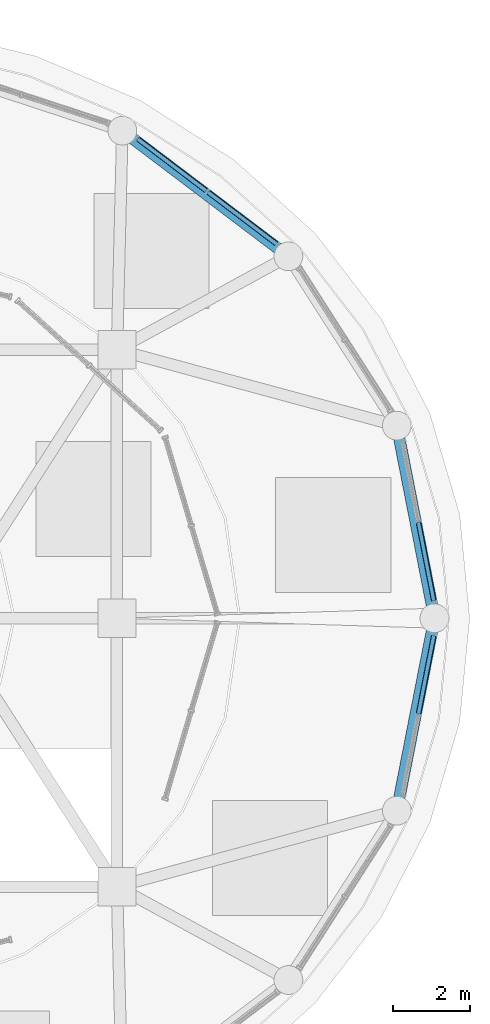
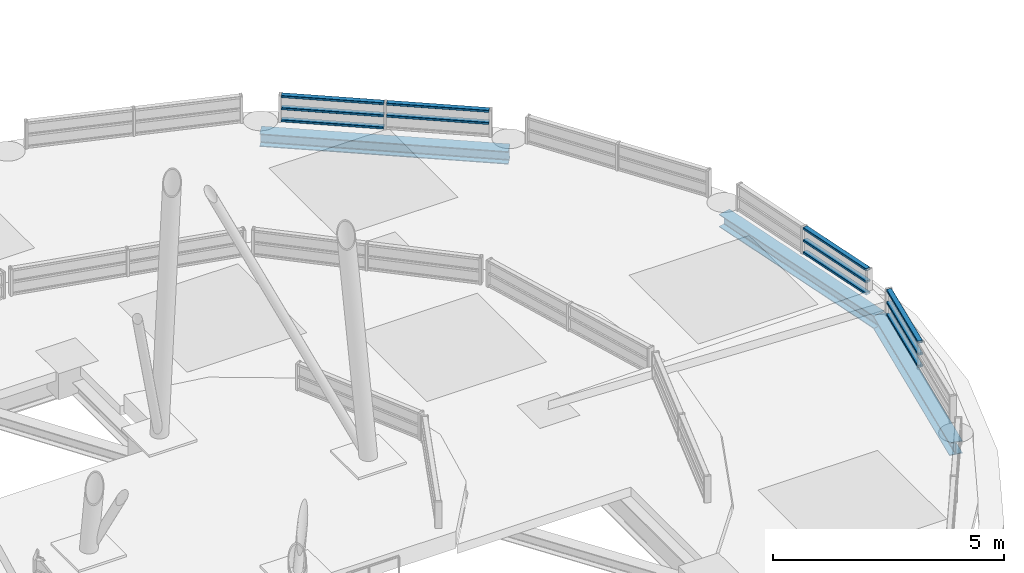
# One storey, part 7 of 21: 11 members, 3 beams, 3 elements without a shape of their own.
"""IFC4 building model written with IfcOpenShell, lengths in metres."""

from ifc_helpers import new_model, si_unit, direction, frame, origin, origin_2d, place, context, subcontext, project, spatial, hollow_rectangle, i_section, extrude, material, layer, layer_set, material_profile, profile_set, type_object, element, aggregate, save


model = new_model("IFC4")

# Units and contexts
model_context = context("Model", 3, precision=1e-05, world=origin(), true_north=direction((0.0, 1.0)))
body_context = subcontext(model_context, "Body", "Model", "MODEL_VIEW")
ifc_project = project(units=[si_unit("LENGTHUNIT", "METRE"), si_unit("AREAUNIT", "SQUARE_METRE"), si_unit("VOLUMEUNIT", "CUBIC_METRE"), si_unit("PLANEANGLEUNIT", "RADIAN"), si_unit("MASSUNIT", "GRAM", prefix="KILO")], contexts=[model_context])

# Site, building, storey
site_placement = place(None, origin())
site = spatial("IfcSite", under=ifc_project, at=site_placement, CompositionType="ELEMENT")
building_placement = place(site_placement, origin())
building = spatial("IfcBuilding", under=site, at=building_placement, Name="Kelanora Arch Commons", CompositionType="ELEMENT")
storey_placement = place(building_placement, frame((0.0, 0.0, 311.10009765625)))
storey = spatial("IfcBuildingStorey", under=building, at=storey_placement, Name="RF", CompositionType="ELEMENT", Elevation=311.10009765625)

# Beams
ifc_material_1 = material(Name="Steel S355", Category="steel")
ifc_material_profile_1 = material_profile(ifc_material_1, i_section(OverallWidth=0.300048828125, OverallDepth=0.340087890625, WebThickness=0.011962890625, FlangeThickness=0.021484375, FilletRadius=0.027099609375, at=origin_2d()), Name="HEB340")
ifc_profile_set_1 = profile_set([ifc_material_profile_1], Name="Steel S355")
beam_type = type_object("IfcBeamType", Name="BM-DRUM-RING", PredefinedType="BEAM", material=ifc_profile_set_1)
beam_1_placement = place(storey_placement, frame((90.280029296875, 58.0, 0.179931640625), z_axis=(-0.191929675955, 0.981408681176, 0.0), x_axis=(-0.981408681176, -0.191929675955, 0.0)))
element("IfcBeam", 1, at=beam_1_placement, inside=storey, type_object=beam_type, Name="Crown Outer Lantern Ring Beam 00", PredefinedType="BEAM", context=body_context, shape_type="SweptSolid", body=[
    extrude(i_section(OverallWidth=0.300048828125, OverallDepth=0.340087890625, WebThickness=0.011962890625, FlangeThickness=0.021484375, FilletRadius=0.027099609375, at=origin_2d()), origin(), (0.0, 0.0, 1.0), 5.1162109375),
])
beam_2_placement = place(storey_placement, frame((86.47119140625, 67.43603515625, 0.179931640625), z_axis=(-0.797441458309, 0.603396321309, 0.0), x_axis=(-0.603396321309, -0.797441458309, 0.0)))
element("IfcBeam", 2, at=beam_2_placement, inside=storey, type_object=beam_type, Name="Crown Outer Lantern Ring Beam 04", PredefinedType="BEAM", context=body_context, shape_type="SweptSolid", body=[
    extrude(i_section(OverallWidth=0.300048828125, OverallDepth=0.340087890625, WebThickness=0.011962890625, FlangeThickness=0.021484375, FilletRadius=0.027099609375, at=origin_2d()), origin(), (0.0, 0.0, 1.0), 5.431396484375),
])
beam_3_placement = place(storey_placement, frame((89.298095703125, 52.97900390625, 0.179931640625), z_axis=(0.191929675955, 0.981408681176, 0.0), x_axis=(-0.981408681176, 0.191929675955, 0.0)))
element("IfcBeam", 3, at=beam_3_placement, inside=storey, type_object=beam_type, Name="Crown Outer Lantern Ring Beam 34", PredefinedType="BEAM", context=body_context, shape_type="SweptSolid", body=[
    extrude(i_section(OverallWidth=0.300048828125, OverallDepth=0.340087890625, WebThickness=0.011962890625, FlangeThickness=0.021484375, FilletRadius=0.027099609375, at=origin_2d()), origin(), (0.0, 0.0, 1.0), 5.1162109375),
])

# Curtain wall, members
ifc_material_2 = material(Name="Terracotta ceramic-fritted low-E glass and aluminium", Category="masonry")
ifc_layer = layer(ifc_material_2, 0.14990234375)
ifc_layer_set = layer_set([ifc_layer], Name="Terracotta ceramic-fritted low-E glass and aluminium")
curtain_wall_type = type_object("IfcCurtainWallType", Name="CW-SYS-06", PredefinedType="NOTDEFINED", material=ifc_layer_set)
curtain_wall_1_placement = place(storey_placement, origin())
curtain_wall_1 = element("IfcCurtainWall", 4, at=curtain_wall_1_placement, inside=storey, type_object=curtain_wall_type, Name="Sloped Glass Crown Lantern T1-01", PredefinedType="NOTDEFINED")
ifc_material_3 = material(Name="Powder-coated aluminium terracotta", Category="masonry")
ifc_material_profile_2 = material_profile(ifc_material_3, hollow_rectangle(XDim=0.1201171875, YDim=0.06005859375, WallThickness=0.0048828125, InnerFilletRadius=0.0048828125, OuterFilletRadius=0.010009765625, at=origin_2d()), Name="CWT120x60")
ifc_profile_set_2 = profile_set([ifc_material_profile_2], Name="Powder-coated aluminium terracotta")
member_type = type_object("IfcMemberType", Name="CWT-STD", PredefinedType="USERDEFINED", material=ifc_profile_set_2)
member_1_placement = place(storey_placement, frame((90.26171875, 58.451416015625, 0.619873046875), z_axis=(-0.191780603047, 0.981437822939, 0.0), x_axis=(-0.981437822939, -0.191780603047, 0.0)))
member_1 = element("IfcMember", 5, at=member_1_placement, type_object=member_type, Name="CW-06 transom 1.1", ObjectType="TRANSOM", PredefinedType="USERDEFINED", context=body_context, shape_type="SweptSolid", body=[
    extrude(hollow_rectangle(XDim=0.1201171875, YDim=0.06005859375, WallThickness=0.0048828125, InnerFilletRadius=0.0048828125, OuterFilletRadius=0.010009765625, at=origin_2d()), origin(), (0.0, 0.0, 1.0), 2.080078125),
])
member_2_placement = place(storey_placement, frame((90.26171875, 58.451416015625, 0.93994140625), z_axis=(-0.191780603047, 0.981437822939, 0.0), x_axis=(-0.981437822939, -0.191780603047, 0.0)))
member_2 = element("IfcMember", 6, at=member_2_placement, type_object=member_type, Name="CW-06 transom 1.2", ObjectType="TRANSOM", PredefinedType="USERDEFINED", context=body_context, shape_type="SweptSolid", body=[
    extrude(hollow_rectangle(XDim=0.1201171875, YDim=0.06005859375, WallThickness=0.0048828125, InnerFilletRadius=0.0048828125, OuterFilletRadius=0.010009765625, at=origin_2d()), origin(), (0.0, 0.0, 1.0), 2.080078125),
])
member_3_placement = place(storey_placement, frame((90.26171875, 58.451416015625, 1.260009765625), z_axis=(-0.191780603047, 0.981437822939, 0.0), x_axis=(-0.981437822939, -0.191780603047, 0.0)))
member_3 = element("IfcMember", 7, at=member_3_placement, type_object=member_type, Name="CW-06 transom 1.3", ObjectType="TRANSOM", PredefinedType="USERDEFINED", context=body_context, shape_type="SweptSolid", body=[
    extrude(hollow_rectangle(XDim=0.1201171875, YDim=0.06005859375, WallThickness=0.0048828125, InnerFilletRadius=0.0048828125, OuterFilletRadius=0.010009765625, at=origin_2d()), origin(), (0.0, 0.0, 1.0), 2.080078125),
])
aggregate(curtain_wall_1, [member_1, member_2, member_3])

curtain_wall_2_placement = place(storey_placement, origin())
curtain_wall_2 = element("IfcCurtainWall", 8, at=curtain_wall_2_placement, inside=storey, type_object=curtain_wall_type, Name="Sloped Glass Crown Lantern T1-03", PredefinedType="NOTDEFINED")
member_4_placement = place(storey_placement, frame((86.157958984375, 67.7587890625, 0.93994140625), z_axis=(-0.797321244253, 0.603555161906, 0.0), x_axis=(-0.603555161906, -0.797321244253, 0.0)))
member_4 = element("IfcMember", 9, at=member_4_placement, type_object=member_type, Name="CW-06 transom 1.2", ObjectType="TRANSOM", PredefinedType="USERDEFINED", context=body_context, shape_type="SweptSolid", body=[
    extrude(hollow_rectangle(XDim=0.1201171875, YDim=0.06005859375, WallThickness=0.0048828125, InnerFilletRadius=0.0048828125, OuterFilletRadius=0.010009765625, at=origin_2d()), origin(), (0.0, 0.0, 1.0), 2.23779296875),
])
member_5_placement = place(storey_placement, frame((86.157958984375, 67.7587890625, 1.260009765625), z_axis=(-0.797321244253, 0.603555161906, 0.0), x_axis=(-0.603555161906, -0.797321244253, 0.0)))
member_5 = element("IfcMember", 10, at=member_5_placement, type_object=member_type, Name="CW-06 transom 1.3", ObjectType="TRANSOM", PredefinedType="USERDEFINED", context=body_context, shape_type="SweptSolid", body=[
    extrude(hollow_rectangle(XDim=0.1201171875, YDim=0.06005859375, WallThickness=0.0048828125, InnerFilletRadius=0.0048828125, OuterFilletRadius=0.010009765625, at=origin_2d()), origin(), (0.0, 0.0, 1.0), 2.23779296875),
])
member_6_placement = place(storey_placement, frame((84.325927734375, 69.1455078125, 0.619873046875), z_axis=(-0.797268741575, 0.603624513839, 0.0), x_axis=(-0.603624513839, -0.797268741575, 0.0)))
member_6 = element("IfcMember", 11, at=member_6_placement, type_object=member_type, Name="CW-06 transom 2.1", ObjectType="TRANSOM", PredefinedType="USERDEFINED", context=body_context, shape_type="SweptSolid", body=[
    extrude(hollow_rectangle(XDim=0.1201171875, YDim=0.06005859375, WallThickness=0.0048828125, InnerFilletRadius=0.0048828125, OuterFilletRadius=0.010009765625, at=origin_2d()), origin(), (0.0, 0.0, 1.0), 2.23779296875),
])
member_7_placement = place(storey_placement, frame((84.325927734375, 69.1455078125, 0.93994140625), z_axis=(-0.797268741575, 0.603624513839, 0.0), x_axis=(-0.603624513839, -0.797268741575, 0.0)))
member_7 = element("IfcMember", 12, at=member_7_placement, type_object=member_type, Name="CW-06 transom 2.2", ObjectType="TRANSOM", PredefinedType="USERDEFINED", context=body_context, shape_type="SweptSolid", body=[
    extrude(hollow_rectangle(XDim=0.1201171875, YDim=0.06005859375, WallThickness=0.0048828125, InnerFilletRadius=0.0048828125, OuterFilletRadius=0.010009765625, at=origin_2d()), origin(), (0.0, 0.0, 1.0), 2.23779296875),
])
member_8_placement = place(storey_placement, frame((84.325927734375, 69.1455078125, 1.260009765625), z_axis=(-0.797268741575, 0.603624513839, 0.0), x_axis=(-0.603624513839, -0.797268741575, 0.0)))
member_8 = element("IfcMember", 13, at=member_8_placement, type_object=member_type, Name="CW-06 transom 2.3", ObjectType="TRANSOM", PredefinedType="USERDEFINED", context=body_context, shape_type="SweptSolid", body=[
    extrude(hollow_rectangle(XDim=0.1201171875, YDim=0.06005859375, WallThickness=0.0048828125, InnerFilletRadius=0.0048828125, OuterFilletRadius=0.010009765625, at=origin_2d()), origin(), (0.0, 0.0, 1.0), 2.23779296875),
])
aggregate(curtain_wall_2, [member_4, member_5, member_6, member_7, member_8])

curtain_wall_3_placement = place(storey_placement, origin())
curtain_wall_3 = element("IfcCurtainWall", 14, at=curtain_wall_3_placement, inside=storey, type_object=curtain_wall_type, Name="Sloped Glass Crown Lantern T1-18", PredefinedType="NOTDEFINED")
member_9_placement = place(storey_placement, frame((89.86279296875, 55.507080078125, 0.619873046875), z_axis=(0.191780603047, 0.981437822939, 0.0), x_axis=(-0.981437822939, 0.191780603047, 0.0)))
member_9 = element("IfcMember", 15, at=member_9_placement, type_object=member_type, Name="CW-06 transom 2.1", ObjectType="TRANSOM", PredefinedType="USERDEFINED", context=body_context, shape_type="SweptSolid", body=[
    extrude(hollow_rectangle(XDim=0.1201171875, YDim=0.06005859375, WallThickness=0.0048828125, InnerFilletRadius=0.0048828125, OuterFilletRadius=0.010009765625, at=origin_2d()), origin(), (0.0, 0.0, 1.0), 2.080078125),
])
member_10_placement = place(storey_placement, frame((89.86279296875, 55.507080078125, 0.93994140625), z_axis=(0.191780603047, 0.981437822939, 0.0), x_axis=(-0.981437822939, 0.191780603047, 0.0)))
member_10 = element("IfcMember", 16, at=member_10_placement, type_object=member_type, Name="CW-06 transom 2.2", ObjectType="TRANSOM", PredefinedType="USERDEFINED", context=body_context, shape_type="SweptSolid", body=[
    extrude(hollow_rectangle(XDim=0.1201171875, YDim=0.06005859375, WallThickness=0.0048828125, InnerFilletRadius=0.0048828125, OuterFilletRadius=0.010009765625, at=origin_2d()), origin(), (0.0, 0.0, 1.0), 2.080078125),
])
member_11_placement = place(storey_placement, frame((89.86279296875, 55.507080078125, 1.260009765625), z_axis=(0.191780603047, 0.981437822939, 0.0), x_axis=(-0.981437822939, 0.191780603047, 0.0)))
member_11 = element("IfcMember", 17, at=member_11_placement, type_object=member_type, Name="CW-06 transom 2.3", ObjectType="TRANSOM", PredefinedType="USERDEFINED", context=body_context, shape_type="SweptSolid", body=[
    extrude(hollow_rectangle(XDim=0.1201171875, YDim=0.06005859375, WallThickness=0.0048828125, InnerFilletRadius=0.0048828125, OuterFilletRadius=0.010009765625, at=origin_2d()), origin(), (0.0, 0.0, 1.0), 2.080078125),
])
aggregate(curtain_wall_3, [member_9, member_10, member_11])

save(model, "model.ifc")
